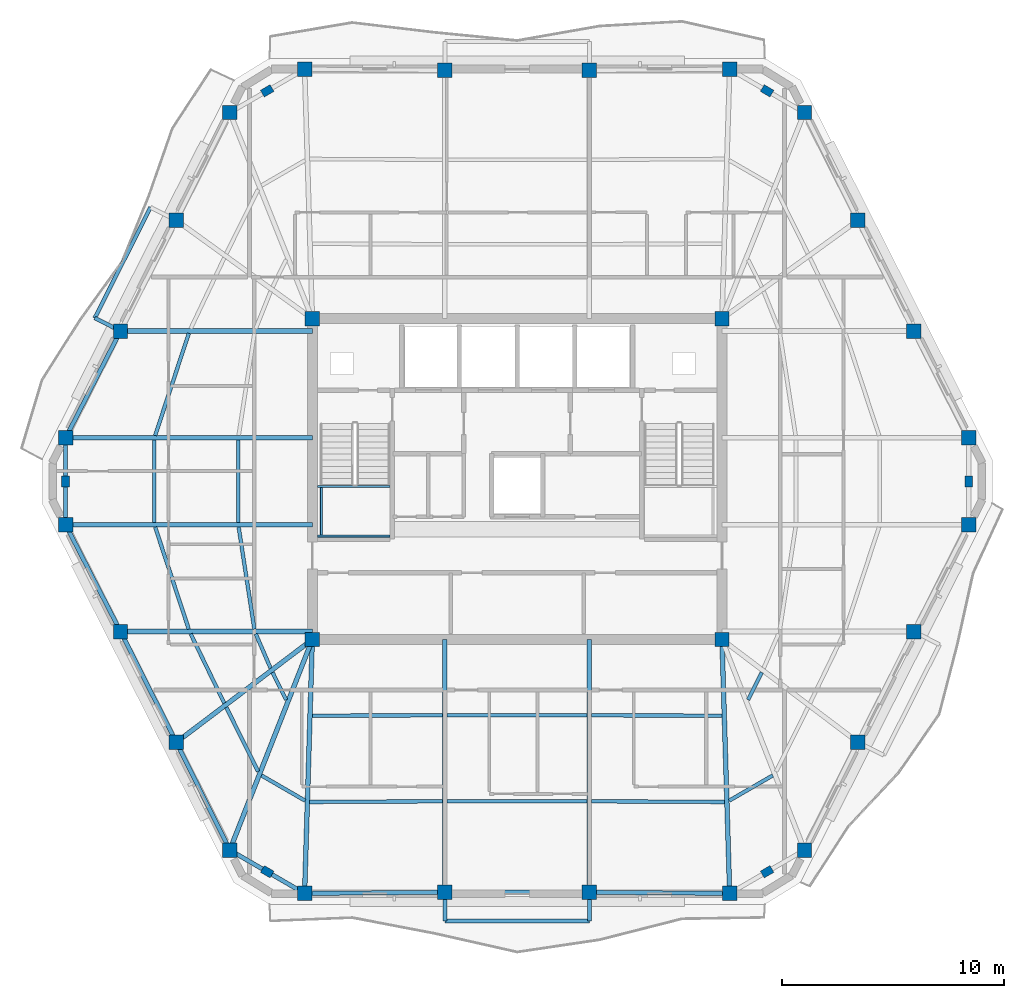
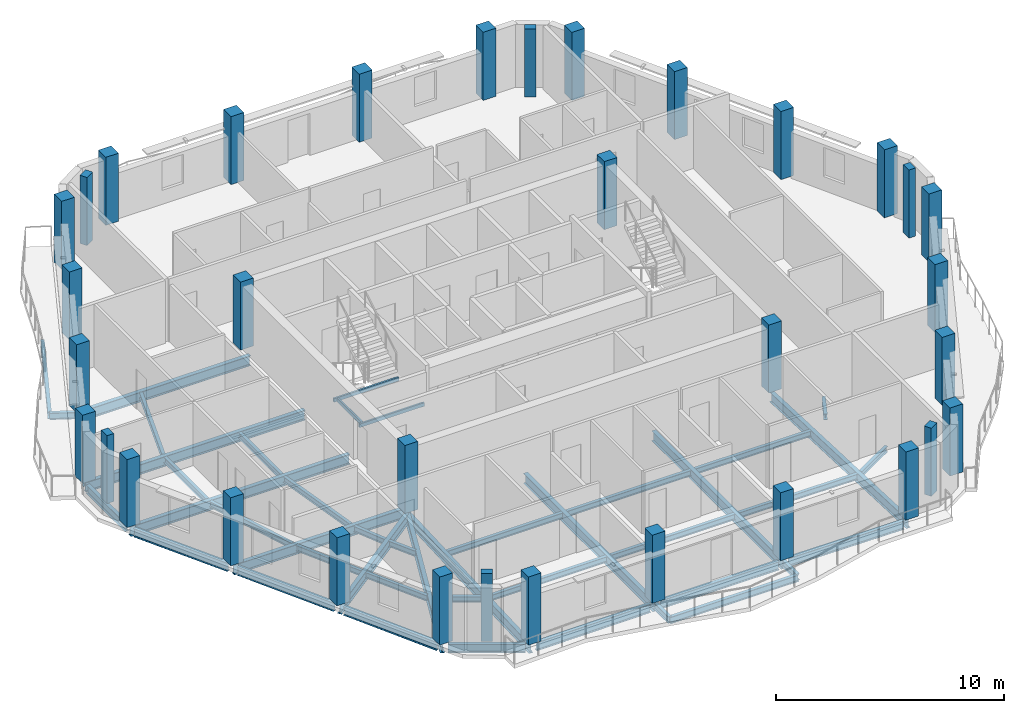
# One storey, part 1 of 11: 45 beams, 34 columns.
"""IFC4 building model written with IfcOpenShell, lengths in metres."""

from ifc_helpers import new_model, si_unit, direction, frame, origin, origin_2d, place, context, subcontext, project, spatial, rectangle, hollow_rectangle, i_section, extrude, material, material_profile, profile_set, type_object, element, save


model = new_model("IFC4")

# Units and contexts
model_context = context("Model", 3, precision=1e-05, world=origin(), true_north=direction((0.0, 1.0)))
body_context = subcontext(model_context, "Body", "Model", "MODEL_VIEW")
ifc_project = project(units=[si_unit("LENGTHUNIT", "METRE"), si_unit("AREAUNIT", "SQUARE_METRE"), si_unit("VOLUMEUNIT", "CUBIC_METRE"), si_unit("PLANEANGLEUNIT", "RADIAN"), si_unit("MASSUNIT", "GRAM", prefix="KILO")], contexts=[model_context])

# Site, building, storey
site_placement = place(None, origin())
site = spatial("IfcSite", under=ifc_project, at=site_placement, CompositionType="ELEMENT")
building_placement = place(site_placement, origin())
building = spatial("IfcBuilding", under=site, at=building_placement, Name="Cinnabar Lancet Tower", CompositionType="ELEMENT")
storey_placement = place(building_placement, frame((0.0, 0.0, 274.449951171875)))
storey = spatial("IfcBuildingStorey", under=building, at=storey_placement, Name="L73", CompositionType="ELEMENT", Elevation=274.449951171875)

# Columns
ifc_material_1 = material(Name="Concrete C50/60", Category="concrete")
ifc_material_profile_1 = material_profile(ifc_material_1, rectangle(XDim=0.64990234375, YDim=0.64990234375, at=origin_2d()), Name="RC-COL 650x650")
ifc_profile_set_1 = profile_set([ifc_material_profile_1], Name="Concrete C50/60")
column_type_1 = type_object("IfcColumnType", Name="STR-COL-CORE-650B", PredefinedType="COLUMN", material=ifc_profile_set_1)
for number, where, z_axis, x_axis, name in (
    (1, (23.175048828125, 18.675048828125, 0.0), (0.0, 0.0, 1.0), (1.0, 0.0, 0.0), "L73 Core Corner Column SW"),
    (2, (41.625, 18.675048828125, 0.0), (0.0, 0.0, 1.0), (1.0, 0.0, 0.0), "L73 Core Corner Column SE"),
    (3, (41.625, 33.125, 0.0), (0.0, 0.0, 1.0), (1.0, 0.0, 0.0), "L73 Core Corner Column NE"),
    (4, (23.175048828125, 33.125, 0.0), (0.0, 0.0, 1.0), (1.0, 0.0, 0.0), "L73 Core Corner Column NW"),
):
    element("IfcColumn", number, at=place(storey_placement, frame(where, z_axis=z_axis, x_axis=x_axis)), inside=storey, type_object=column_type_1, Name=name, PredefinedType="COLUMN", context=body_context, shape_type="SweptSolid", body=[
        extrude(rectangle(XDim=0.64990234375, YDim=0.64990234375, at=origin_2d()), origin(), (0.0, 0.0, 1.0), 3.650146484375),
    ])
ifc_material_2 = material(Name="Concrete C60/75", Category="concrete")
ifc_material_profile_2 = material_profile(ifc_material_2, rectangle(XDim=0.5, YDim=0.35009765625, at=origin_2d()), Name="RC-PIL 500x350")
ifc_profile_set_2 = profile_set([ifc_material_profile_2], Name="Concrete C60/75")
column_type_2 = type_object("IfcColumnType", Name="STR-COL-PIL-500", PredefinedType="PILASTER", material=ifc_profile_set_2)
for number, where, z_axis, x_axis, name in (
    (5, (21.14306640625, 8.215087890625, 0.0), (0.0, 0.0, 1.0), (0.865256437757, -0.501329529272, 0.0), "L73 Chamfered Corner Pilaster 1"),
    (6, (43.656982421875, 8.215087890625, 0.0), (0.0, 0.0, 1.0), (0.865256437757, 0.501329529272, 0.0), "L73 Chamfered Corner Pilaster 2"),
    (7, (52.737060546875, 25.800048828125, 0.0), (0.0, 0.0, 1.0), (0.0, 1.0, 0.0), "L73 Chamfered Corner Pilaster 3"),
    (8, (43.656982421875, 43.385009765625, 0.0), (0.0, 0.0, 1.0), (-0.865256437757, 0.501329529272, 0.0), "L73 Chamfered Corner Pilaster 4"),
    (9, (21.14306640625, 43.385009765625, 0.0), (0.0, 0.0, 1.0), (-0.865256437757, -0.501329529272, 0.0), "L73 Chamfered Corner Pilaster 5"),
    (10, (12.06298828125, 25.800048828125, 0.0), (0.0, 0.0, 1.0), (0.0, -1.0, 0.0), "L73 Chamfered Corner Pilaster 6"),
):
    element("IfcColumn", number, at=place(storey_placement, frame(where, z_axis=z_axis, x_axis=x_axis)), inside=storey, type_object=column_type_2, Name=name, PredefinedType="PILASTER", context=body_context, shape_type="SweptSolid", body=[
        extrude(rectangle(XDim=0.5, YDim=0.35009765625, at=origin_2d()), origin(), (0.0, 0.0, 1.0), 3.650146484375),
    ])
ifc_material_3 = material(Name="Concrete C50/60", Category="concrete")
ifc_material_profile_3 = material_profile(ifc_material_3, rectangle(XDim=0.64990234375, YDim=0.64990234375, at=origin_2d()), Name="RC-COL 650x650")
ifc_profile_set_3 = profile_set([ifc_material_profile_3], Name="Concrete C50/60")
column_type_3 = type_object("IfcColumnType", Name="STR-COL-TUBE-650", PredefinedType="COLUMN", material=ifc_profile_set_3)
for number, where, z_axis, x_axis, name in (
    (11, (22.827880859375, 7.239013671875, 0.0), (0.0, 0.0, 1.0), (1.0, 0.0, 0.0), "L73 Perimeter Tube Column 1"),
    (12, (29.14599609375, 7.2919921875, 0.0), (0.0, 0.0, 1.0), (1.0, 0.0, 0.0), "L73 Perimeter Tube Column 2"),
    (13, (35.654052734375, 7.2919921875, 0.0), (0.0, 0.0, 1.0), (1.0, 0.0, 0.0), "L73 Perimeter Tube Column 3"),
    (14, (41.971923828125, 7.239013671875, 0.0), (0.0, 0.0, 1.0), (1.0, 0.0, 0.0), "L73 Perimeter Tube Column 4"),
    (15, (45.341064453125, 9.19091796875, 0.0), (0.0, 0.0, 1.0), (1.0, 0.0, 0.0), "L73 Perimeter Tube Column 5"),
    (16, (47.7490234375, 14.0458984375, 0.0), (0.0, 0.0, 1.0), (1.0, 0.0, 0.0), "L73 Perimeter Tube Column 6"),
    (17, (50.263916015625, 19.032958984375, 0.0), (0.0, 0.0, 1.0), (1.0, 0.0, 0.0), "L73 Perimeter Tube Column 7"),
    (18, (52.737060546875, 23.844970703125, 0.0), (0.0, 0.0, 1.0), (1.0, 0.0, 0.0), "L73 Perimeter Tube Column 8"),
    (19, (52.737060546875, 27.7548828125, 0.0), (0.0, 0.0, 1.0), (1.0, 0.0, 0.0), "L73 Perimeter Tube Column 9"),
    (20, (50.263916015625, 32.56689453125, 0.0), (0.0, 0.0, 1.0), (1.0, 0.0, 0.0), "L73 Perimeter Tube Column 10"),
    (21, (47.7490234375, 37.553955078125, 0.0), (0.0, 0.0, 1.0), (1.0, 0.0, 0.0), "L73 Perimeter Tube Column 11"),
    (22, (45.341064453125, 42.408935546875, 0.0), (0.0, 0.0, 1.0), (1.0, 0.0, 0.0), "L73 Perimeter Tube Column 12"),
    (23, (41.971923828125, 44.361083984375, 0.0), (0.0, 0.0, 1.0), (1.0, 0.0, 0.0), "L73 Perimeter Tube Column 13"),
    (24, (35.654052734375, 44.30810546875, 0.0), (0.0, 0.0, 1.0), (1.0, 0.0, 0.0), "L73 Perimeter Tube Column 14"),
    (25, (29.14599609375, 44.30810546875, 0.0), (0.0, 0.0, 1.0), (1.0, 0.0, 0.0), "L73 Perimeter Tube Column 15"),
    (26, (22.827880859375, 44.361083984375, 0.0), (0.0, 0.0, 1.0), (1.0, 0.0, 0.0), "L73 Perimeter Tube Column 16"),
    (27, (19.458984375, 42.408935546875, 0.0), (0.0, 0.0, 1.0), (1.0, 0.0, 0.0), "L73 Perimeter Tube Column 17"),
    (28, (17.051025390625, 37.553955078125, 0.0), (0.0, 0.0, 1.0), (1.0, 0.0, 0.0), "L73 Perimeter Tube Column 18"),
    (29, (14.535888671875, 32.56689453125, 0.0), (0.0, 0.0, 1.0), (1.0, 0.0, 0.0), "L73 Perimeter Tube Column 19"),
    (30, (12.06298828125, 27.7548828125, 0.0), (0.0, 0.0, 1.0), (1.0, 0.0, 0.0), "L73 Perimeter Tube Column 20"),
    (31, (12.06298828125, 23.844970703125, 0.0), (0.0, 0.0, 1.0), (1.0, 0.0, 0.0), "L73 Perimeter Tube Column 21"),
    (32, (14.535888671875, 19.032958984375, 0.0), (0.0, 0.0, 1.0), (1.0, 0.0, 0.0), "L73 Perimeter Tube Column 22"),
    (33, (17.051025390625, 14.0458984375, 0.0), (0.0, 0.0, 1.0), (1.0, 0.0, 0.0), "L73 Perimeter Tube Column 23"),
    (34, (19.458984375, 9.19091796875, 0.0), (0.0, 0.0, 1.0), (1.0, 0.0, 0.0), "L73 Perimeter Tube Column 24"),
):
    element("IfcColumn", number, at=place(storey_placement, frame(where, z_axis=z_axis, x_axis=x_axis)), inside=storey, type_object=column_type_3, Name=name, PredefinedType="COLUMN", context=body_context, shape_type="SweptSolid", body=[
        extrude(rectangle(XDim=0.64990234375, YDim=0.64990234375, at=origin_2d()), origin(), (0.0, 0.0, 1.0), 3.650146484375),
    ])

# Beams
ifc_material_4 = material(Name="Structural steel S355", Category="steel")
ifc_material_profile_4 = material_profile(ifc_material_4, i_section(OverallWidth=0.1650390625, OverallDepth=0.303466796875, WebThickness=0.006103515625, FlangeThickness=0.01025390625, FilletRadius=0.0087890625, at=origin_2d()), Name="UKB 305x165x40")
ifc_profile_set_4 = profile_set([ifc_material_profile_4], Name="Structural steel S355")
beam_type_1 = type_object("IfcBeamType", Name="STR-BM-JST-305", PredefinedType="JOIST", material=ifc_profile_set_4)
beam_1_placement = place(storey_placement, frame((16.097900390625, 23.739990234375, -0.35205078125), z_axis=(0.312536616989, -0.949905712711, 0.0), x_axis=(0.949905712711, 0.312536616989, 0.0)))
element("IfcBeam", 35, at=beam_1_placement, inside=storey, type_object=beam_type_1, Name="L73 Secondary Floor Joist 1", PredefinedType="JOIST", context=body_context, shape_type="SweptSolid", body=[
    extrude(i_section(OverallWidth=0.1650390625, OverallDepth=0.303466796875, WebThickness=0.006103515625, FlangeThickness=0.01025390625, FilletRadius=0.0087890625, at=origin_2d()), origin(), (0.0, 0.0, 1.0), 4.8447265625),
])
beam_2_placement = place(storey_placement, frame((19.85791015625, 23.739990234375, -0.35205078125), z_axis=(0.152262059154, -0.988340156698, 0.0), x_axis=(0.988340156698, 0.152262059154, 0.0)))
element("IfcBeam", 36, at=beam_2_placement, inside=storey, type_object=beam_type_1, Name="L73 Secondary Floor Joist 2", PredefinedType="JOIST", context=body_context, shape_type="SweptSolid", body=[
    extrude(i_section(OverallWidth=0.1650390625, OverallDepth=0.303466796875, WebThickness=0.006103515625, FlangeThickness=0.01025390625, FilletRadius=0.0087890625, at=origin_2d()), origin(), (0.0, 0.0, 1.0), 4.65625),
])
beam_3_placement = place(storey_placement, frame((17.697021484375, 18.927978515625, -0.35205078125), z_axis=(0.43610936109, -0.899893674369, 0.0), x_axis=(0.899893674369, 0.43610936109, 0.0)))
element("IfcBeam", 37, at=beam_3_placement, inside=storey, type_object=beam_type_1, Name="L73 Secondary Floor Joist 3", PredefinedType="JOIST", context=body_context, shape_type="SweptSolid", body=[
    extrude(i_section(OverallWidth=0.1650390625, OverallDepth=0.303466796875, WebThickness=0.006103515625, FlangeThickness=0.01025390625, FilletRadius=0.0087890625, at=origin_2d()), origin(), (0.0, 0.0, 1.0), 3.467041015625),
])
beam_4_placement = place(storey_placement, frame((20.62890625, 18.927978515625, -0.35205078125), z_axis=(0.396302440144, -0.91812002262, 0.0), x_axis=(0.91812002262, 0.396302440144, 0.0)))
element("IfcBeam", 38, at=beam_4_placement, inside=storey, type_object=beam_type_1, Name="L73 Secondary Floor Joist 4", PredefinedType="JOIST", context=body_context, shape_type="SweptSolid", body=[
    extrude(i_section(OverallWidth=0.1650390625, OverallDepth=0.303466796875, WebThickness=0.006103515625, FlangeThickness=0.01025390625, FilletRadius=0.0087890625, at=origin_2d()), origin(), (0.0, 0.0, 1.0), 1.6806640625),
])
beam_5_placement = place(storey_placement, frame((19.302978515625, 15.616943359375, -0.35205078125), z_axis=(0.444330443712, -0.895862967641, 0.0), x_axis=(0.895862967641, 0.444330443712, 0.0)))
element("IfcBeam", 39, at=beam_5_placement, inside=storey, type_object=beam_type_1, Name="L73 Secondary Floor Joist 5", PredefinedType="JOIST", context=body_context, shape_type="SweptSolid", body=[
    extrude(i_section(OverallWidth=0.1650390625, OverallDepth=0.303466796875, WebThickness=0.006103515625, FlangeThickness=0.01025390625, FilletRadius=0.0087890625, at=origin_2d()), origin(), (0.0, 0.0, 1.0), 3.220458984375),
])
beam_6_placement = place(storey_placement, frame((21.385009765625, 17.19091796875, -0.35205078125), z_axis=(0.444093192127, -0.89598060063, 0.0), x_axis=(0.89598060063, 0.444093192127, 0.0)))
element("IfcBeam", 40, at=beam_6_placement, inside=storey, type_object=beam_type_1, Name="L73 Secondary Floor Joist 6", PredefinedType="JOIST", context=body_context, shape_type="SweptSolid", body=[
    extrude(i_section(OverallWidth=0.1650390625, OverallDepth=0.303466796875, WebThickness=0.006103515625, FlangeThickness=0.01025390625, FilletRadius=0.0087890625, at=origin_2d()), origin(), (0.0, 0.0, 1.0), 1.378173828125),
])
beam_7_placement = place(storey_placement, frame((20.887939453125, 12.552001953125, -0.35205078125), z_axis=(0.865426285481, -0.501036270542, 0.0), x_axis=(0.501036270542, 0.865426285481, 0.0)))
element("IfcBeam", 41, at=beam_7_placement, inside=storey, type_object=beam_type_1, Name="L73 Secondary Floor Joist 7", PredefinedType="JOIST", context=body_context, shape_type="SweptSolid", body=[
    extrude(i_section(OverallWidth=0.1650390625, OverallDepth=0.303466796875, WebThickness=0.006103515625, FlangeThickness=0.01025390625, FilletRadius=0.0087890625, at=origin_2d()), origin(), (0.0, 0.0, 1.0), 2.267333984375),
])
beam_8_placement = place(storey_placement, frame((23.05810546875, 11.35693359375, -0.35205078125), z_axis=(0.999985712428, 0.005345553266, 0.0), x_axis=(-0.005345553266, 0.999985712428, 0.0)))
element("IfcBeam", 42, at=beam_8_placement, inside=storey, type_object=beam_type_1, Name="L73 Secondary Floor Joist 8", PredefinedType="JOIST", context=body_context, shape_type="SweptSolid", body=[
    extrude(i_section(OverallWidth=0.1650390625, OverallDepth=0.303466796875, WebThickness=0.006103515625, FlangeThickness=0.01025390625, FilletRadius=0.0087890625, at=origin_2d()), origin(), (0.0, 0.0, 1.0), 5.98291015625),
])
beam_9_placement = place(storey_placement, frame((23.176025390625, 15.243896484375, -0.35205078125), z_axis=(0.999996226008, 0.002747356738, 0.0), x_axis=(-0.002747356738, 0.999996226008, 0.0)))
element("IfcBeam", 43, at=beam_9_placement, inside=storey, type_object=beam_type_1, Name="L73 Secondary Floor Joist 9", PredefinedType="JOIST", context=body_context, shape_type="SweptSolid", body=[
    extrude(i_section(OverallWidth=0.1650390625, OverallDepth=0.303466796875, WebThickness=0.006103515625, FlangeThickness=0.01025390625, FilletRadius=0.0087890625, at=origin_2d()), origin(), (0.0, 0.0, 1.0), 5.864990234375),
])
for number, where, z_axis, x_axis, name in (
    (44, (29.2509765625, 11.389892578125, -0.35205078125), (1.0, 0.0, 0.0), (0.0, 1.0, 0.0), "L73 Secondary Floor Joist 10"),
    (45, (29.2509765625, 15.260009765625, -0.35205078125), (1.0, 0.0, 0.0), (0.0, 1.0, 0.0), "L73 Secondary Floor Joist 11"),
):
    element("IfcBeam", number, at=place(storey_placement, frame(where, z_axis=z_axis, x_axis=x_axis)), inside=storey, type_object=beam_type_1, Name=name, PredefinedType="JOIST", context=body_context, shape_type="SweptSolid", body=[
        extrude(i_section(OverallWidth=0.1650390625, OverallDepth=0.303466796875, WebThickness=0.006103515625, FlangeThickness=0.01025390625, FilletRadius=0.0087890625, at=origin_2d()), origin(), (0.0, 0.0, 1.0), 6.298095703125),
    ])
beam_10_placement = place(storey_placement, frame((35.759033203125, 11.388916015625, -0.35205078125), z_axis=(0.999985712428, -0.005345553266, 0.0), x_axis=(0.005345553266, 0.999985712428, 0.0)))
element("IfcBeam", 46, at=beam_10_placement, inside=storey, type_object=beam_type_1, Name="L73 Secondary Floor Joist 12", PredefinedType="JOIST", context=body_context, shape_type="SweptSolid", body=[
    extrude(i_section(OverallWidth=0.1650390625, OverallDepth=0.303466796875, WebThickness=0.006103515625, FlangeThickness=0.01025390625, FilletRadius=0.0087890625, at=origin_2d()), origin(), (0.0, 0.0, 1.0), 5.98291015625),
])
beam_11_placement = place(storey_placement, frame((35.759033203125, 15.260009765625, -0.35205078125), z_axis=(0.999996226008, -0.002747356738, 0.0), x_axis=(0.002747356738, 0.999996226008, 0.0)))
element("IfcBeam", 47, at=beam_11_placement, inside=storey, type_object=beam_type_1, Name="L73 Secondary Floor Joist 13", PredefinedType="JOIST", context=body_context, shape_type="SweptSolid", body=[
    extrude(i_section(OverallWidth=0.1650390625, OverallDepth=0.303466796875, WebThickness=0.006103515625, FlangeThickness=0.01025390625, FilletRadius=0.0087890625, at=origin_2d()), origin(), (0.0, 0.0, 1.0), 5.864990234375),
])
beam_12_placement = place(storey_placement, frame((41.949951171875, 11.416015625, -0.35205078125), z_axis=(0.865426285481, 0.501036270542, 0.0), x_axis=(-0.501036270542, 0.865426285481, 0.0)))
element("IfcBeam", 48, at=beam_12_placement, inside=storey, type_object=beam_type_1, Name="L73 Secondary Floor Joist 14", PredefinedType="JOIST", context=body_context, shape_type="SweptSolid", body=[
    extrude(i_section(OverallWidth=0.1650390625, OverallDepth=0.303466796875, WebThickness=0.006103515625, FlangeThickness=0.01025390625, FilletRadius=0.0087890625, at=origin_2d()), origin(), (0.0, 0.0, 1.0), 2.267333984375),
])
beam_13_placement = place(storey_placement, frame((42.802978515625, 15.9560546875, -0.35205078125), z_axis=(0.444093192127, 0.89598060063, 0.0), x_axis=(-0.89598060063, 0.444093192127, 0.0)))
element("IfcBeam", 49, at=beam_13_placement, inside=storey, type_object=beam_type_1, Name="L73 Secondary Floor Joist 16", PredefinedType="JOIST", context=body_context, shape_type="SweptSolid", body=[
    extrude(i_section(OverallWidth=0.1650390625, OverallDepth=0.303466796875, WebThickness=0.006103515625, FlangeThickness=0.01025390625, FilletRadius=0.0087890625, at=origin_2d()), origin(), (0.0, 0.0, 1.0), 1.378173828125),
])
beam_14_placement = place(storey_placement, frame((17.612060546875, 32.4619140625, -0.35205078125), z_axis=(-0.312551578319, -0.949900790025, 0.0), x_axis=(0.949900790025, -0.312551578319, 0.0)))
element("IfcBeam", 50, at=beam_14_placement, inside=storey, type_object=beam_type_1, Name="L73 Secondary Floor Joist 41", PredefinedType="JOIST", context=body_context, shape_type="SweptSolid", body=[
    extrude(i_section(OverallWidth=0.1650390625, OverallDepth=0.303466796875, WebThickness=0.006103515625, FlangeThickness=0.01025390625, FilletRadius=0.0087890625, at=origin_2d()), origin(), (0.0, 0.0, 1.0), 4.844482421875),
])
for number, where, z_axis, x_axis, name in (
    (51, (16.06298828125, 27.64990234375, -0.35205078125), (0.0, -1.0, 0.0), (1.0, 0.0, 0.0), "L73 Secondary Floor Joist 43"),
    (52, (19.841064453125, 27.64990234375, -0.35205078125), (0.0, -1.0, 0.0), (1.0, 0.0, 0.0), "L73 Secondary Floor Joist 44"),
):
    element("IfcBeam", number, at=place(storey_placement, frame(where, z_axis=z_axis, x_axis=x_axis)), inside=storey, type_object=beam_type_1, Name=name, PredefinedType="JOIST", context=body_context, shape_type="SweptSolid", body=[
        extrude(i_section(OverallWidth=0.1650390625, OverallDepth=0.303466796875, WebThickness=0.006103515625, FlangeThickness=0.01025390625, FilletRadius=0.0087890625, at=origin_2d()), origin(), (0.0, 0.0, 1.0), 3.699951171875),
    ])
ifc_material_5 = material(Name="Structural steel S355", Category="steel")
ifc_material_profile_5 = material_profile(ifc_material_5, hollow_rectangle(XDim=0.10009765625, YDim=0.199951171875, WallThickness=0.008056640625, InnerFilletRadius=0.00390625, OuterFilletRadius=0.011962890625, at=origin_2d()), Name="RHS 200x100x8")
ifc_profile_set_5 = profile_set([ifc_material_profile_5], Name="Structural steel S355")
beam_type_2 = type_object("IfcBeamType", Name="STR-BM-LND-203", PredefinedType="BEAM", material=ifc_profile_set_5)
for number, where, z_axis, x_axis, name in (
    (53, (23.39990234375, 23.330078125, 1.525146484375), (1.0, 0.0, 0.0), (0.0, 1.0, 0.0), "L73 ST-1-L73 Landing Support Beam S"),
    (54, (23.39990234375, 25.570068359375, 1.525146484375), (1.0, 0.0, 0.0), (0.0, 1.0, 0.0), "L73 ST-1-L73 Landing Support Beam N"),
):
    element("IfcBeam", number, at=place(storey_placement, frame(where, z_axis=z_axis, x_axis=x_axis)), inside=storey, type_object=beam_type_2, Name=name, PredefinedType="BEAM", context=body_context, shape_type="SweptSolid", body=[
        extrude(hollow_rectangle(XDim=0.10009765625, YDim=0.199951171875, WallThickness=0.008056640625, InnerFilletRadius=0.00390625, OuterFilletRadius=0.011962890625, at=origin_2d()), origin(), (0.0, 0.0, 1.0), 3.280029296875),
    ])
beam_15_placement = place(storey_placement, frame((23.580078125, 23.3798828125, 1.525146484375), z_axis=(0.0, 1.0, 0.0), x_axis=(-1.0, 0.0, 0.0)))
element("IfcBeam", 55, at=beam_15_placement, inside=storey, type_object=beam_type_2, Name="L73 ST-1-L73 Landing Side Trimmer Beam", PredefinedType="BEAM", context=body_context, shape_type="SweptSolid", body=[
    extrude(hollow_rectangle(XDim=0.10009765625, YDim=0.199951171875, WallThickness=0.008056640625, InnerFilletRadius=0.00390625, OuterFilletRadius=0.011962890625, at=origin_2d()), origin(), (0.0, 0.0, 1.0), 2.14013671875),
])
ifc_material_6 = material(Name="Structural steel S355", Category="steel")
ifc_material_profile_6 = material_profile(ifc_material_6, i_section(OverallWidth=0.1904296875, OverallDepth=0.45703125, WebThickness=0.009033203125, FlangeThickness=0.014404296875, FilletRadius=0.01025390625, at=origin_2d()), Name="UKB 457x191x74")
ifc_profile_set_6 = profile_set([ifc_material_profile_6], Name="Structural steel S355")
beam_type_3 = type_object("IfcBeamType", Name="STR-BM-SPN-457", PredefinedType="SPANDREL", material=ifc_profile_set_6)
beam_16_placement = place(storey_placement, frame((23.077880859375, 7.240966796875, -0.427978515625), z_axis=(0.999964432412, 0.008434092187, 0.0), x_axis=(-0.008434092187, 0.999964432412, 0.0)))
element("IfcBeam", 56, at=beam_16_placement, inside=storey, type_object=beam_type_3, Name="L73 Perimeter Spandrel 1", PredefinedType="SPANDREL", context=body_context, shape_type="SweptSolid", body=[
    extrude(i_section(OverallWidth=0.1904296875, OverallDepth=0.45703125, WebThickness=0.009033203125, FlangeThickness=0.014404296875, FilletRadius=0.01025390625, at=origin_2d()), origin(), (0.0, 0.0, 1.0), 5.818359375),
])
beam_17_placement = place(storey_placement, frame((29.39599609375, 7.2919921875, -0.427978515625), z_axis=(1.0, 0.0, 0.0), x_axis=(0.0, 1.0, 0.0)))
element("IfcBeam", 57, at=beam_17_placement, inside=storey, type_object=beam_type_3, Name="L73 Perimeter Spandrel 2", PredefinedType="SPANDREL", context=body_context, shape_type="SweptSolid", body=[
    extrude(i_section(OverallWidth=0.1904296875, OverallDepth=0.45703125, WebThickness=0.009033203125, FlangeThickness=0.014404296875, FilletRadius=0.01025390625, at=origin_2d()), origin(), (0.0, 0.0, 1.0), 6.008056640625),
])
beam_18_placement = place(storey_placement, frame((35.904052734375, 7.2900390625, -0.427978515625), z_axis=(0.999964429427, -0.00843444609, 0.0), x_axis=(0.00843444609, 0.999964429427, 0.0)))
element("IfcBeam", 58, at=beam_18_placement, inside=storey, type_object=beam_type_3, Name="L73 Perimeter Spandrel 3", PredefinedType="SPANDREL", context=body_context, shape_type="SweptSolid", body=[
    extrude(i_section(OverallWidth=0.1904296875, OverallDepth=0.45703125, WebThickness=0.009033203125, FlangeThickness=0.014404296875, FilletRadius=0.01025390625, at=origin_2d()), origin(), (0.0, 0.0, 1.0), 5.818115234375),
])
beam_19_placement = place(storey_placement, frame((14.422119140625, 32.344970703125, -0.427978515625), z_axis=(-0.457148063427, -0.889390604912, 0.0), x_axis=(0.889390604912, -0.457148063427, 0.0)))
element("IfcBeam", 59, at=beam_19_placement, inside=storey, type_object=beam_type_3, Name="L73 Perimeter Spandrel 19", PredefinedType="SPANDREL", context=body_context, shape_type="SweptSolid", body=[
    extrude(i_section(OverallWidth=0.1904296875, OverallDepth=0.45703125, WebThickness=0.009033203125, FlangeThickness=0.014404296875, FilletRadius=0.01025390625, at=origin_2d()), origin(), (0.0, 0.0, 1.0), 4.9111328125),
])
beam_20_placement = place(storey_placement, frame((12.06298828125, 27.5048828125, -0.427978515625), z_axis=(0.0, -1.0, 0.0), x_axis=(1.0, 0.0, 0.0)))
element("IfcBeam", 60, at=beam_20_placement, inside=storey, type_object=beam_type_3, Name="L73 Perimeter Spandrel 20", PredefinedType="SPANDREL", context=body_context, shape_type="SweptSolid", body=[
    extrude(i_section(OverallWidth=0.1904296875, OverallDepth=0.45703125, WebThickness=0.009033203125, FlangeThickness=0.014404296875, FilletRadius=0.01025390625, at=origin_2d()), origin(), (0.0, 0.0, 1.0), 3.409912109375),
])
beam_21_placement = place(storey_placement, frame((12.177001953125, 23.623046875, -0.427978515625), z_axis=(0.457127852293, -0.889400993174, 0.0), x_axis=(0.889400993174, 0.457127852293, 0.0)))
element("IfcBeam", 61, at=beam_21_placement, inside=storey, type_object=beam_type_3, Name="L73 Perimeter Spandrel 21", PredefinedType="SPANDREL", context=body_context, shape_type="SweptSolid", body=[
    extrude(i_section(OverallWidth=0.1904296875, OverallDepth=0.45703125, WebThickness=0.009033203125, FlangeThickness=0.014404296875, FilletRadius=0.01025390625, at=origin_2d()), origin(), (0.0, 0.0, 1.0), 4.911376953125),
])
beam_22_placement = place(storey_placement, frame((14.64892578125, 18.81005859375, -0.427978515625), z_axis=(0.450130146726, -0.892962961722, 0.0), x_axis=(0.892962961722, 0.450130146726, 0.0)))
element("IfcBeam", 62, at=beam_22_placement, inside=storey, type_object=beam_type_3, Name="L73 Perimeter Spandrel 22", PredefinedType="SPANDREL", context=body_context, shape_type="SweptSolid", body=[
    extrude(i_section(OverallWidth=0.1904296875, OverallDepth=0.45703125, WebThickness=0.009033203125, FlangeThickness=0.014404296875, FilletRadius=0.01025390625, at=origin_2d()), origin(), (0.0, 0.0, 1.0), 5.08544921875),
])
beam_23_placement = place(storey_placement, frame((17.162109375, 13.822021484375, -0.427978515625), z_axis=(0.44433276947, -0.895861814107, 0.0), x_axis=(0.895861814107, 0.44433276947, 0.0)))
element("IfcBeam", 63, at=beam_23_placement, inside=storey, type_object=beam_type_3, Name="L73 Perimeter Spandrel 23", PredefinedType="SPANDREL", context=body_context, shape_type="SweptSolid", body=[
    extrude(i_section(OverallWidth=0.1904296875, OverallDepth=0.45703125, WebThickness=0.009033203125, FlangeThickness=0.014404296875, FilletRadius=0.01025390625, at=origin_2d()), origin(), (0.0, 0.0, 1.0), 4.919189453125),
])
beam_24_placement = place(storey_placement, frame((19.675048828125, 9.06591796875, -0.427978515625), z_axis=(0.865230894194, -0.50137361292, 0.0), x_axis=(0.50137361292, 0.865230894194, 0.0)))
element("IfcBeam", 64, at=beam_24_placement, inside=storey, type_object=beam_type_3, Name="L73 Perimeter Spandrel 24", PredefinedType="SPANDREL", context=body_context, shape_type="SweptSolid", body=[
    extrude(i_section(OverallWidth=0.1904296875, OverallDepth=0.45703125, WebThickness=0.009033203125, FlangeThickness=0.014404296875, FilletRadius=0.01025390625, at=origin_2d()), origin(), (0.0, 0.0, 1.0), 3.39453125),
])
ifc_material_7 = material(Name="Structural steel S355", Category="steel")
ifc_material_profile_7 = material_profile(ifc_material_7, i_section(OverallWidth=0.209228515625, OverallDepth=0.533203125, WebThickness=0.010009765625, FlangeThickness=0.015625, FilletRadius=0.0126953125, at=origin_2d()), Name="UKB 533x210x92")
ifc_profile_set_7 = profile_set([ifc_material_profile_7], Name="Structural steel S355")
beam_type_4 = type_object("IfcBeamType", Name="STR-BM-UKB533-92", PredefinedType="BEAM", material=ifc_profile_set_7)
beam_25_placement = place(storey_placement, frame((17.051025390625, 14.0458984375, -0.467041015625), z_axis=(0.797735075719, 0.603008083667, 0.0), x_axis=(-0.603008083667, 0.797735075719, 0.0)))
element("IfcBeam", 65, at=beam_25_placement, inside=storey, type_object=beam_type_4, Name="L73 Corner Collector Girder 1", PredefinedType="BEAM", context=body_context, shape_type="SweptSolid", body=[
    extrude(i_section(OverallWidth=0.209228515625, OverallDepth=0.533203125, WebThickness=0.010009765625, FlangeThickness=0.015625, FilletRadius=0.0126953125, at=origin_2d()), origin(), (0.0, 0.0, 1.0), 7.6767578125),
])
beam_26_placement = place(storey_placement, frame((22.827880859375, 7.239013671875, -0.467041015625), z_axis=(0.030343393029, 0.999539533235, 0.0), x_axis=(-0.999539533235, 0.030343393029, 0.0)))
element("IfcBeam", 66, at=beam_26_placement, inside=storey, type_object=beam_type_4, Name="L73 Primary Floor Girder 1", PredefinedType="BEAM", context=body_context, shape_type="SweptSolid", body=[
    extrude(i_section(OverallWidth=0.209228515625, OverallDepth=0.533203125, WebThickness=0.010009765625, FlangeThickness=0.015625, FilletRadius=0.0126953125, at=origin_2d()), origin(), (0.0, 0.0, 1.0), 11.44140625),
])
for number, where, z_axis, x_axis, name in (
    (67, (29.14599609375, 7.2919921875, -0.467041015625), (0.0, 1.0, 0.0), (-1.0, 0.0, 0.0), "L73 Primary Floor Girder 2"),
    (68, (35.654052734375, 7.2919921875, -0.467041015625), (0.0, 1.0, 0.0), (-1.0, 0.0, 0.0), "L73 Primary Floor Girder 3"),
):
    element("IfcBeam", number, at=place(storey_placement, frame(where, z_axis=z_axis, x_axis=x_axis)), inside=storey, type_object=beam_type_4, Name=name, PredefinedType="BEAM", context=body_context, shape_type="SweptSolid", body=[
        extrude(i_section(OverallWidth=0.209228515625, OverallDepth=0.533203125, WebThickness=0.010009765625, FlangeThickness=0.015625, FilletRadius=0.0126953125, at=origin_2d()), origin(), (0.0, 0.0, 1.0), 11.383056640625),
    ])
beam_27_placement = place(storey_placement, frame((41.971923828125, 7.239013671875, -0.467041015625), z_axis=(-0.030322074123, 0.999540180193, 0.0), x_axis=(-0.999540180193, -0.030322074123, 0.0)))
element("IfcBeam", 69, at=beam_27_placement, inside=storey, type_object=beam_type_4, Name="L73 Primary Floor Girder 4", PredefinedType="BEAM", context=body_context, shape_type="SweptSolid", body=[
    extrude(i_section(OverallWidth=0.209228515625, OverallDepth=0.533203125, WebThickness=0.010009765625, FlangeThickness=0.015625, FilletRadius=0.0126953125, at=origin_2d()), origin(), (0.0, 0.0, 1.0), 11.44140625),
])
beam_28_placement = place(storey_placement, frame((14.535888671875, 32.56689453125, -0.467041015625), z_axis=(1.0, 0.0, 0.0), x_axis=(0.0, 1.0, 0.0)))
element("IfcBeam", 70, at=beam_28_placement, inside=storey, type_object=beam_type_4, Name="L73 Primary Floor Girder 19", PredefinedType="BEAM", context=body_context, shape_type="SweptSolid", body=[
    extrude(i_section(OverallWidth=0.209228515625, OverallDepth=0.533203125, WebThickness=0.010009765625, FlangeThickness=0.015625, FilletRadius=0.0126953125, at=origin_2d()), origin(), (0.0, 0.0, 1.0), 8.63916015625),
])
for number, where, z_axis, x_axis, name in (
    (71, (12.06298828125, 27.7548828125, -0.467041015625), (1.0, 0.0, 0.0), (0.0, 1.0, 0.0), "L73 Primary Floor Girder 20"),
    (72, (12.06298828125, 23.844970703125, -0.467041015625), (1.0, 0.0, 0.0), (0.0, 1.0, 0.0), "L73 Primary Floor Girder 21"),
):
    element("IfcBeam", number, at=place(storey_placement, frame(where, z_axis=z_axis, x_axis=x_axis)), inside=storey, type_object=beam_type_4, Name=name, PredefinedType="BEAM", context=body_context, shape_type="SweptSolid", body=[
        extrude(i_section(OverallWidth=0.209228515625, OverallDepth=0.533203125, WebThickness=0.010009765625, FlangeThickness=0.015625, FilletRadius=0.0126953125, at=origin_2d()), origin(), (0.0, 0.0, 1.0), 11.112060546875),
    ])
beam_29_placement = place(storey_placement, frame((14.535888671875, 19.032958984375, -0.467041015625), z_axis=(1.0, 0.0, 0.0), x_axis=(0.0, 1.0, 0.0)))
element("IfcBeam", 73, at=beam_29_placement, inside=storey, type_object=beam_type_4, Name="L73 Primary Floor Girder 22", PredefinedType="BEAM", context=body_context, shape_type="SweptSolid", body=[
    extrude(i_section(OverallWidth=0.209228515625, OverallDepth=0.533203125, WebThickness=0.010009765625, FlangeThickness=0.015625, FilletRadius=0.0126953125, at=origin_2d()), origin(), (0.0, 0.0, 1.0), 8.63916015625),
])
beam_30_placement = place(storey_placement, frame((19.458984375, 9.19091796875, -0.467041015625), z_axis=(0.364815017375, 0.931080019707, 0.0), x_axis=(-0.931080019707, 0.364815017375, 0.0)))
element("IfcBeam", 74, at=beam_30_placement, inside=storey, type_object=beam_type_4, Name="L73 Primary Floor Girder 24", PredefinedType="BEAM", context=body_context, shape_type="SweptSolid", body=[
    extrude(i_section(OverallWidth=0.209228515625, OverallDepth=0.533203125, WebThickness=0.010009765625, FlangeThickness=0.015625, FilletRadius=0.0126953125, at=origin_2d()), origin(), (0.0, 0.0, 1.0), 10.186279296875),
])
ifc_material_8 = material(Name="Structural steel S355", Category="steel")
ifc_material_profile_8 = material_profile(ifc_material_8, i_section(OverallWidth=0.17138671875, OverallDepth=0.35498046875, WebThickness=0.00732421875, FlangeThickness=0.011474609375, FilletRadius=0.01025390625, at=origin_2d()), Name="UKB 356x171x51")
ifc_profile_set_8 = profile_set([ifc_material_profile_8], Name="Structural steel S355")
beam_type_5 = type_object("IfcBeamType", Name="STR-BM-WAV-OUT", PredefinedType="BEAM", material=ifc_profile_set_8)
for number, where, z_axis, x_axis, name in (
    (75, (29.14599609375, 7.2919921875, -0.39697265625), (0.0, -1.0, 0.0), (1.0, 0.0, 0.0), "L73 Face 1 Balcony Outlooker A"),
    (76, (35.654052734375, 7.2919921875, -0.39697265625), (0.0, -1.0, 0.0), (1.0, 0.0, 0.0), "L73 Face 1 Balcony Outlooker B"),
    (77, (14.535888671875, 32.56689453125, -0.39697265625), (-0.892200264127, 0.451639998995, 0.0), (-0.451639998995, -0.892200264127, 0.0), "L73 Face 5 Balcony Outlooker B"),
):
    element("IfcBeam", number, at=place(storey_placement, frame(where, z_axis=z_axis, x_axis=x_axis)), inside=storey, type_object=beam_type_5, Name=name, PredefinedType="BEAM", context=body_context, shape_type="SweptSolid", body=[
        extrude(i_section(OverallWidth=0.17138671875, OverallDepth=0.35498046875, WebThickness=0.00732421875, FlangeThickness=0.011474609375, FilletRadius=0.01025390625, at=origin_2d()), origin(), (0.0, 0.0, 1.0), 1.300048828125),
    ])
ifc_material_9 = material(Name="Structural steel S355", Category="steel")
ifc_material_profile_9 = material_profile(ifc_material_9, i_section(OverallWidth=0.17138671875, OverallDepth=0.35498046875, WebThickness=0.00732421875, FlangeThickness=0.011474609375, FilletRadius=0.01025390625, at=origin_2d()), Name="UKB 356x171x51")
ifc_profile_set_9 = profile_set([ifc_material_profile_9], Name="Structural steel S355")
beam_type_6 = type_object("IfcBeamType", Name="STR-BM-WAV-TRIM", PredefinedType="SPANDREL", material=ifc_profile_set_9)
beam_31_placement = place(storey_placement, frame((29.14599609375, 5.991943359375, -0.39697265625), z_axis=(1.0, 0.0, 0.0), x_axis=(0.0, 1.0, 0.0)))
element("IfcBeam", 78, at=beam_31_placement, inside=storey, type_object=beam_type_6, Name="L73 Face 1 Balcony Edge Trimmer", PredefinedType="SPANDREL", context=body_context, shape_type="SweptSolid", body=[
    extrude(i_section(OverallWidth=0.17138671875, OverallDepth=0.35498046875, WebThickness=0.00732421875, FlangeThickness=0.011474609375, FilletRadius=0.01025390625, at=origin_2d()), origin(), (0.0, 0.0, 1.0), 6.508056640625),
])
beam_32_placement = place(storey_placement, frame((15.89111328125, 38.14111328125, -0.39697265625), z_axis=(-0.450305622338, -0.892874485295, 0.0), x_axis=(0.892874485295, -0.450305622338, 0.0)))
element("IfcBeam", 79, at=beam_32_placement, inside=storey, type_object=beam_type_6, Name="L73 Face 5 Balcony Edge Trimmer", PredefinedType="SPANDREL", context=body_context, shape_type="SweptSolid", body=[
    extrude(i_section(OverallWidth=0.17138671875, OverallDepth=0.35498046875, WebThickness=0.00732421875, FlangeThickness=0.011474609375, FilletRadius=0.01025390625, at=origin_2d()), origin(), (0.0, 0.0, 1.0), 5.58544921875),
])

save(model, "model.ifc")
